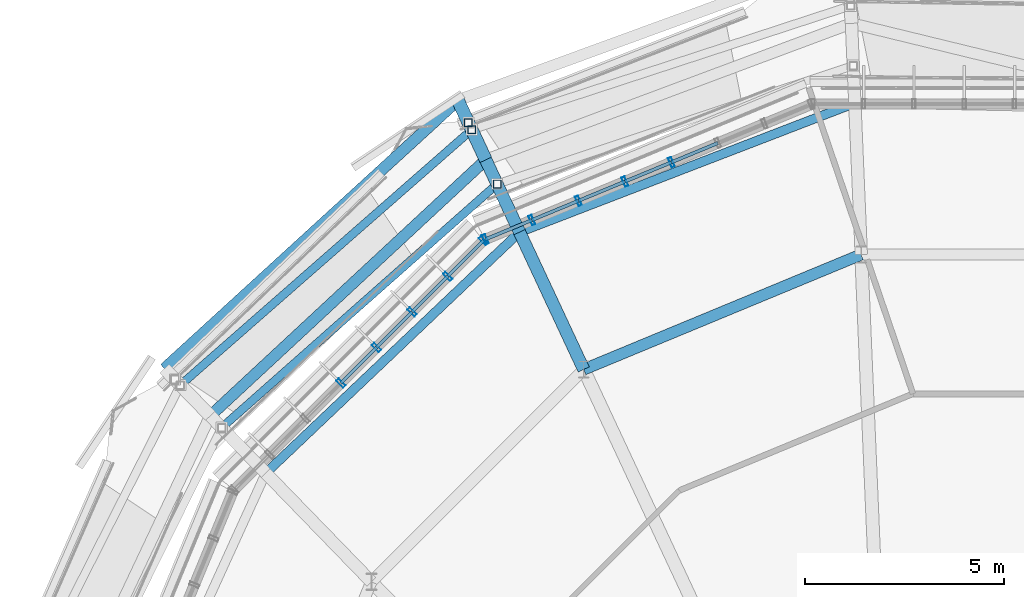
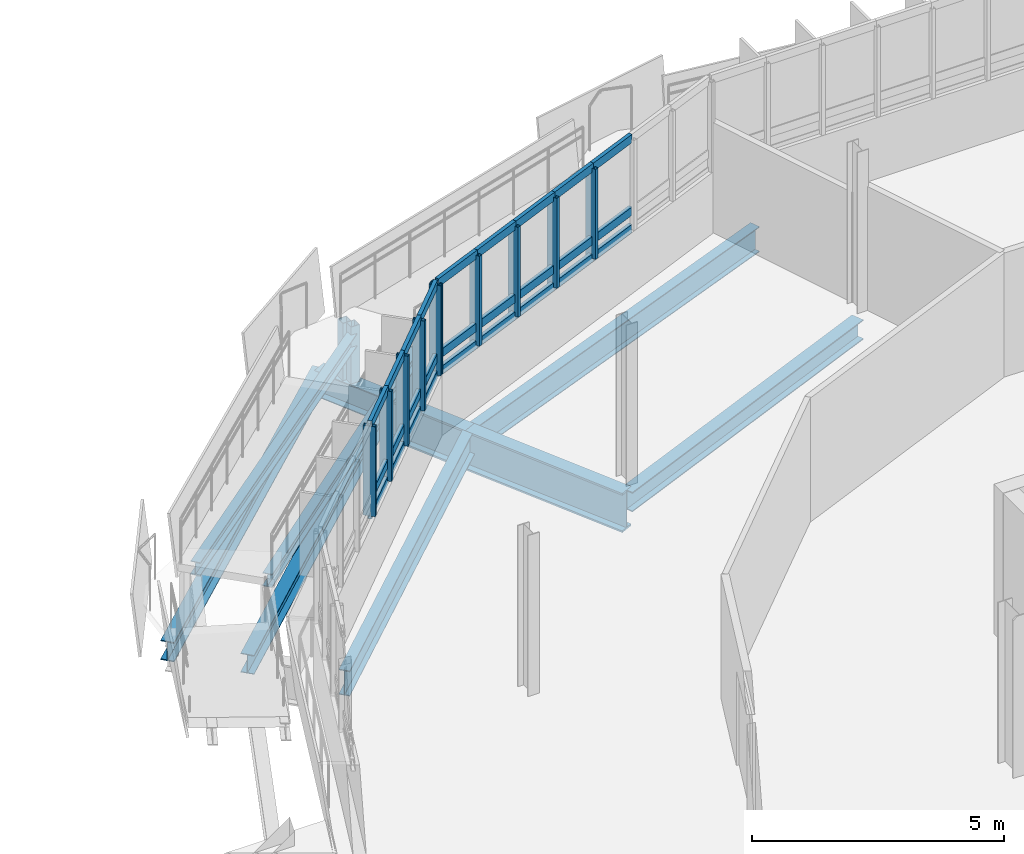
# One storey, part 25 of 61: 40 members, 10 beams, 2 elements without a shape of their own.
"""IFC4 building model written with IfcOpenShell, lengths in metres."""

from ifc_helpers import new_model, si_unit, derived_unit, direction, frame, origin, origin_2d, place, context, subcontext, project, spatial, hollow_rectangle, i_section, extrude, material, layer, layer_set, material_profile, profile_set, type_object, element, aggregate, save


model = new_model("IFC4")

# Units and contexts
model_context = context("Model", 3, precision=1e-05, world=origin(), true_north=direction((0.0, 1.0)))
body_context = subcontext(model_context, "Body", "Model", "MODEL_VIEW")
ifc_project = project(units=[si_unit("LENGTHUNIT", "METRE"), si_unit("AREAUNIT", "SQUARE_METRE"), si_unit("VOLUMEUNIT", "CUBIC_METRE"), si_unit("PLANEANGLEUNIT", "RADIAN"), si_unit("MASSUNIT", "GRAM", prefix="KILO"), derived_unit("THERMALTRANSMITTANCEUNIT", [(si_unit("MASSUNIT", "GRAM", prefix="KILO"), 1), (si_unit("TIMEUNIT", "SECOND"), -3), (si_unit("THERMODYNAMICTEMPERATUREUNIT", "KELVIN"), -1)])], contexts=[model_context])

# Site, building, storey
site_placement = place(None, origin())
site = spatial("IfcSite", under=ifc_project, at=site_placement, CompositionType="ELEMENT")
building_placement = place(site_placement, origin())
building = spatial("IfcBuilding", under=site, at=building_placement, Name="Makaiwela Harbour Ferry Terminal", CompositionType="ELEMENT")
storey_placement = place(building_placement, frame((0.0, 0.0, 13.800048828125)))
storey = spatial("IfcBuildingStorey", under=building, at=storey_placement, Name="L03", CompositionType="ELEMENT", Elevation=13.800048828125)

# Curtain wall, members
ifc_material_1 = material(Name="Marine anodised aluminium 6063-T6", Category="aluminium")
ifc_layer = layer(ifc_material_1, 0.199951171875)
ifc_layer_set = layer_set([ifc_layer], Name="Marine anodised aluminium 6063-T6")
curtain_wall_type = type_object("IfcCurtainWallType", Name="ENV-CW-05", PredefinedType="USERDEFINED", material=ifc_layer_set)
curtain_wall_1_placement = place(storey_placement, origin())
curtain_wall_1 = element("IfcCurtainWall", 1, at=curtain_wall_1_placement, inside=storey, type_object=curtain_wall_type, Name="Unitised Curtain Wall CWA-032", ObjectType="UNITIZED CURTAIN WALL", PredefinedType="USERDEFINED")
ifc_material_profile_1 = material_profile(ifc_material_1, hollow_rectangle(XDim=0.0849609375, YDim=0.25, WallThickness=0.0048828125, at=origin_2d()), Name="CWM-250X85")
ifc_profile_set_1 = profile_set([ifc_material_profile_1], Name="Marine anodised aluminium 6063-T6")
member_type_1 = type_object("IfcMemberType", Name="CW-MUL-250", PredefinedType="MULLION", material=ifc_profile_set_1)
member_1_placement = place(storey_placement, frame((28.57568359375, 89.34130859375, 1.47998046875), z_axis=(0.0, 0.0, 1.0), x_axis=(0.923879532511, 0.382683432365, 0.0)))
member_1 = element("IfcMember", 2, at=member_1_placement, type_object=member_type_1, Name="Curtain Wall Mullion CWA-032-4", PredefinedType="MULLION", context=body_context, shape_type="SweptSolid", body=[
    extrude(hollow_rectangle(XDim=0.0849609375, YDim=0.25, WallThickness=0.0048828125, at=origin_2d()), origin(), (0.0, 0.0, 1.0), 2.179931640625),
])
member_2_placement = place(storey_placement, frame((27.4091796875, 88.858154296875, 1.47998046875), z_axis=(0.0, 0.0, 1.0), x_axis=(0.923879532511, 0.382683432365, 0.0)))
member_2 = element("IfcMember", 3, at=member_2_placement, type_object=member_type_1, Name="Curtain Wall Mullion CWA-032-5", PredefinedType="MULLION", context=body_context, shape_type="SweptSolid", body=[
    extrude(hollow_rectangle(XDim=0.0849609375, YDim=0.25, WallThickness=0.0048828125, at=origin_2d()), origin(), (0.0, 0.0, 1.0), 2.179931640625),
])
member_3_placement = place(storey_placement, frame((26.2431640625, 88.375, 1.47998046875), z_axis=(0.0, 0.0, 1.0), x_axis=(0.923879532511, 0.382683432365, 0.0)))
member_3 = element("IfcMember", 4, at=member_3_placement, type_object=member_type_1, Name="Curtain Wall Mullion CWA-032-6", PredefinedType="MULLION", context=body_context, shape_type="SweptSolid", body=[
    extrude(hollow_rectangle(XDim=0.0849609375, YDim=0.25, WallThickness=0.0048828125, at=origin_2d()), origin(), (0.0, 0.0, 1.0), 2.179931640625),
])
member_4_placement = place(storey_placement, frame((25.076904296875, 87.89208984375, 1.47998046875), z_axis=(0.0, 0.0, 1.0), x_axis=(0.923879532511, 0.382683432365, 0.0)))
member_4 = element("IfcMember", 5, at=member_4_placement, type_object=member_type_1, Name="Curtain Wall Mullion CWA-032-7", PredefinedType="MULLION", context=body_context, shape_type="SweptSolid", body=[
    extrude(hollow_rectangle(XDim=0.0849609375, YDim=0.25, WallThickness=0.0048828125, at=origin_2d()), origin(), (0.0, 0.0, 1.0), 2.179931640625),
])
member_5_placement = place(storey_placement, frame((23.91064453125, 87.408935546875, 1.47998046875), z_axis=(0.0, 0.0, 1.0), x_axis=(0.923879532511, 0.382683432365, 0.0)))
member_5 = element("IfcMember", 6, at=member_5_placement, type_object=member_type_1, Name="Curtain Wall Mullion CWA-032-8", PredefinedType="MULLION", context=body_context, shape_type="SweptSolid", body=[
    extrude(hollow_rectangle(XDim=0.0849609375, YDim=0.25, WallThickness=0.0048828125, at=origin_2d()), origin(), (0.0, 0.0, 1.0), 2.179931640625),
])

curtain_wall_2_placement = place(storey_placement, origin())
curtain_wall_2 = element("IfcCurtainWall", 7, at=curtain_wall_2_placement, inside=storey, type_object=curtain_wall_type, Name="Unitised Curtain Wall CWA-033", ObjectType="UNITIZED CURTAIN WALL", PredefinedType="USERDEFINED")
member_6_placement = place(storey_placement, frame((23.86181640625, 87.376220703125, 1.47998046875), z_axis=(0.0, 0.0, 1.0), x_axis=(0.707106781187, 0.707106781187, 0.0)))
member_6 = element("IfcMember", 8, at=member_6_placement, type_object=member_type_1, Name="Curtain Wall Mullion CWA-033-1", PredefinedType="MULLION", context=body_context, shape_type="SweptSolid", body=[
    extrude(hollow_rectangle(XDim=0.0849609375, YDim=0.25, WallThickness=0.0048828125, at=origin_2d()), origin(), (0.0, 0.0, 1.0), 2.179931640625),
])
member_7_placement = place(storey_placement, frame((22.96923828125, 86.483642578125, 1.47998046875), z_axis=(0.0, 0.0, 1.0), x_axis=(0.707106781187, 0.707106781187, 0.0)))
member_7 = element("IfcMember", 9, at=member_7_placement, type_object=member_type_1, Name="Curtain Wall Mullion CWA-033-2", PredefinedType="MULLION", context=body_context, shape_type="SweptSolid", body=[
    extrude(hollow_rectangle(XDim=0.0849609375, YDim=0.25, WallThickness=0.0048828125, at=origin_2d()), origin(), (0.0, 0.0, 1.0), 2.179931640625),
])
member_8_placement = place(storey_placement, frame((22.07666015625, 85.591064453125, 1.47998046875), z_axis=(0.0, 0.0, 1.0), x_axis=(0.707106781187, 0.707106781187, 0.0)))
member_8 = element("IfcMember", 10, at=member_8_placement, type_object=member_type_1, Name="Curtain Wall Mullion CWA-033-3", PredefinedType="MULLION", context=body_context, shape_type="SweptSolid", body=[
    extrude(hollow_rectangle(XDim=0.0849609375, YDim=0.25, WallThickness=0.0048828125, at=origin_2d()), origin(), (0.0, 0.0, 1.0), 2.179931640625),
])
member_9_placement = place(storey_placement, frame((21.18408203125, 84.698486328125, 1.47998046875), z_axis=(0.0, 0.0, 1.0), x_axis=(0.707106781187, 0.707106781187, 0.0)))
member_9 = element("IfcMember", 11, at=member_9_placement, type_object=member_type_1, Name="Curtain Wall Mullion CWA-033-4", PredefinedType="MULLION", context=body_context, shape_type="SweptSolid", body=[
    extrude(hollow_rectangle(XDim=0.0849609375, YDim=0.25, WallThickness=0.0048828125, at=origin_2d()), origin(), (0.0, 0.0, 1.0), 2.179931640625),
])
member_10_placement = place(storey_placement, frame((20.29150390625, 83.805908203125, 1.47998046875), z_axis=(0.0, 0.0, 1.0), x_axis=(0.707106781187, 0.707106781187, 0.0)))
member_10 = element("IfcMember", 12, at=member_10_placement, type_object=member_type_1, Name="Curtain Wall Mullion CWA-033-5", PredefinedType="MULLION", context=body_context, shape_type="SweptSolid", body=[
    extrude(hollow_rectangle(XDim=0.0849609375, YDim=0.25, WallThickness=0.0048828125, at=origin_2d()), origin(), (0.0, 0.0, 1.0), 2.179931640625),
])

# Member
ifc_material_profile_2 = material_profile(ifc_material_1, hollow_rectangle(XDim=0.0849609375, YDim=0.199951171875, WallThickness=0.0048828125, at=origin_2d()), Name="CWT-200X85")
ifc_profile_set_2 = profile_set([ifc_material_profile_2], Name="Marine anodised aluminium 6063-T6")
member_type_2 = type_object("IfcMemberType", Name="CW-TRN-200", PredefinedType="USERDEFINED", material=ifc_profile_set_2)
member_11_placement = place(storey_placement, frame((29.74169921875, 89.82421875, 1.47998046875), z_axis=(-0.923898953305, -0.382636543056, 0.0), x_axis=(0.382636543056, -0.923898953305, 0.0)))
member_11 = element("IfcMember", 13, at=member_11_placement, type_object=member_type_2, Name="Curtain Wall Transom CWA-032-3-1", ObjectType="TRANSOM", PredefinedType="USERDEFINED", context=body_context, shape_type="SweptSolid", body=[
    extrude(hollow_rectangle(XDim=0.0849609375, YDim=0.199951171875, WallThickness=0.0048828125, at=origin_2d()), origin(), (0.0, 0.0, 1.0), 1.261962890625),
])

member_12_placement = place(storey_placement, frame((29.74169921875, 89.82421875, 1.89990234375), z_axis=(-0.923898953305, -0.382636543056, 0.0), x_axis=(0.382636543056, -0.923898953305, 0.0)))
member_12 = element("IfcMember", 14, at=member_12_placement, type_object=member_type_2, Name="Curtain Wall Transom CWA-032-3-2", ObjectType="TRANSOM", PredefinedType="USERDEFINED", context=body_context, shape_type="SweptSolid", body=[
    extrude(hollow_rectangle(XDim=0.0849609375, YDim=0.199951171875, WallThickness=0.0048828125, at=origin_2d()), origin(), (0.0, 0.0, 1.0), 1.261962890625),
])

member_13_placement = place(storey_placement, frame((29.74169921875, 89.82421875, 3.659912109375), z_axis=(-0.923898953305, -0.382636543056, 0.0), x_axis=(0.382636543056, -0.923898953305, 0.0)))
member_13 = element("IfcMember", 15, at=member_13_placement, type_object=member_type_2, Name="Curtain Wall Transom CWA-032-3-3", ObjectType="TRANSOM", PredefinedType="USERDEFINED", context=body_context, shape_type="SweptSolid", body=[
    extrude(hollow_rectangle(XDim=0.0849609375, YDim=0.199951171875, WallThickness=0.0048828125, at=origin_2d()), origin(), (0.0, 0.0, 1.0), 1.261962890625),
])

member_14_placement = place(storey_placement, frame((28.57568359375, 89.34130859375, 1.47998046875), z_axis=(-0.923887216515, -0.382664881013, 0.0), x_axis=(0.382664881013, -0.923887216515, 0.0)))
member_14 = element("IfcMember", 16, at=member_14_placement, type_object=member_type_2, Name="Curtain Wall Transom CWA-032-4-1", ObjectType="TRANSOM", PredefinedType="USERDEFINED", context=body_context, shape_type="SweptSolid", body=[
    extrude(hollow_rectangle(XDim=0.0849609375, YDim=0.199951171875, WallThickness=0.0048828125, at=origin_2d()), origin(), (0.0, 0.0, 1.0), 1.2626953125),
])

member_15_placement = place(storey_placement, frame((28.57568359375, 89.34130859375, 1.89990234375), z_axis=(-0.923887216515, -0.382664881013, 0.0), x_axis=(0.382664881013, -0.923887216515, 0.0)))
member_15 = element("IfcMember", 17, at=member_15_placement, type_object=member_type_2, Name="Curtain Wall Transom CWA-032-4-2", ObjectType="TRANSOM", PredefinedType="USERDEFINED", context=body_context, shape_type="SweptSolid", body=[
    extrude(hollow_rectangle(XDim=0.0849609375, YDim=0.199951171875, WallThickness=0.0048828125, at=origin_2d()), origin(), (0.0, 0.0, 1.0), 1.2626953125),
])

member_16_placement = place(storey_placement, frame((28.57568359375, 89.34130859375, 3.659912109375), z_axis=(-0.923887216515, -0.382664881013, 0.0), x_axis=(0.382664881013, -0.923887216515, 0.0)))
member_16 = element("IfcMember", 18, at=member_16_placement, type_object=member_type_2, Name="Curtain Wall Transom CWA-032-4-3", ObjectType="TRANSOM", PredefinedType="USERDEFINED", context=body_context, shape_type="SweptSolid", body=[
    extrude(hollow_rectangle(XDim=0.0849609375, YDim=0.199951171875, WallThickness=0.0048828125, at=origin_2d()), origin(), (0.0, 0.0, 1.0), 1.2626953125),
])

member_17_placement = place(storey_placement, frame((27.4091796875, 88.858154296875, 1.47998046875), z_axis=(-0.923830557004, -0.382801648306, 0.0), x_axis=(0.382801648306, -0.923830557004, 0.0)))
member_17 = element("IfcMember", 19, at=member_17_placement, type_object=member_type_2, Name="Curtain Wall Transom CWA-032-5-1", ObjectType="TRANSOM", PredefinedType="USERDEFINED", context=body_context, shape_type="SweptSolid", body=[
    extrude(hollow_rectangle(XDim=0.0849609375, YDim=0.199951171875, WallThickness=0.0048828125, at=origin_2d()), origin(), (0.0, 0.0, 1.0), 1.26220703125),
])

member_18_placement = place(storey_placement, frame((27.4091796875, 88.858154296875, 1.89990234375), z_axis=(-0.923830557004, -0.382801648306, 0.0), x_axis=(0.382801648306, -0.923830557004, 0.0)))
member_18 = element("IfcMember", 20, at=member_18_placement, type_object=member_type_2, Name="Curtain Wall Transom CWA-032-5-2", ObjectType="TRANSOM", PredefinedType="USERDEFINED", context=body_context, shape_type="SweptSolid", body=[
    extrude(hollow_rectangle(XDim=0.0849609375, YDim=0.199951171875, WallThickness=0.0048828125, at=origin_2d()), origin(), (0.0, 0.0, 1.0), 1.26220703125),
])

member_19_placement = place(storey_placement, frame((27.4091796875, 88.858154296875, 3.659912109375), z_axis=(-0.923830557004, -0.382801648306, 0.0), x_axis=(0.382801648306, -0.923830557004, 0.0)))
member_19 = element("IfcMember", 21, at=member_19_placement, type_object=member_type_2, Name="Curtain Wall Transom CWA-032-5-3", ObjectType="TRANSOM", PredefinedType="USERDEFINED", context=body_context, shape_type="SweptSolid", body=[
    extrude(hollow_rectangle(XDim=0.0849609375, YDim=0.199951171875, WallThickness=0.0048828125, at=origin_2d()), origin(), (0.0, 0.0, 1.0), 1.26220703125),
])

member_20_placement = place(storey_placement, frame((26.2431640625, 88.375, 1.47998046875), z_axis=(-0.923927268309, -0.382568167619, 0.0), x_axis=(0.382568167619, -0.923927268309, 0.0)))
member_20 = element("IfcMember", 22, at=member_20_placement, type_object=member_type_2, Name="Curtain Wall Transom CWA-032-6-1", ObjectType="TRANSOM", PredefinedType="USERDEFINED", context=body_context, shape_type="SweptSolid", body=[
    extrude(hollow_rectangle(XDim=0.0849609375, YDim=0.199951171875, WallThickness=0.0048828125, at=origin_2d()), origin(), (0.0, 0.0, 1.0), 1.26220703125),
])

member_21_placement = place(storey_placement, frame((26.2431640625, 88.375, 1.89990234375), z_axis=(-0.923927268309, -0.382568167619, 0.0), x_axis=(0.382568167619, -0.923927268309, 0.0)))
member_21 = element("IfcMember", 23, at=member_21_placement, type_object=member_type_2, Name="Curtain Wall Transom CWA-032-6-2", ObjectType="TRANSOM", PredefinedType="USERDEFINED", context=body_context, shape_type="SweptSolid", body=[
    extrude(hollow_rectangle(XDim=0.0849609375, YDim=0.199951171875, WallThickness=0.0048828125, at=origin_2d()), origin(), (0.0, 0.0, 1.0), 1.26220703125),
])

member_22_placement = place(storey_placement, frame((26.2431640625, 88.375, 3.659912109375), z_axis=(-0.923927268309, -0.382568167619, 0.0), x_axis=(0.382568167619, -0.923927268309, 0.0)))
member_22 = element("IfcMember", 24, at=member_22_placement, type_object=member_type_2, Name="Curtain Wall Transom CWA-032-6-3", ObjectType="TRANSOM", PredefinedType="USERDEFINED", context=body_context, shape_type="SweptSolid", body=[
    extrude(hollow_rectangle(XDim=0.0849609375, YDim=0.199951171875, WallThickness=0.0048828125, at=origin_2d()), origin(), (0.0, 0.0, 1.0), 1.26220703125),
])

member_23_placement = place(storey_placement, frame((25.076904296875, 87.89208984375, 1.47998046875), z_axis=(-0.923858894352, -0.38273325349, 0.0), x_axis=(0.38273325349, -0.923858894352, 0.0)))
member_23 = element("IfcMember", 25, at=member_23_placement, type_object=member_type_2, Name="Curtain Wall Transom CWA-032-7-1", ObjectType="TRANSOM", PredefinedType="USERDEFINED", context=body_context, shape_type="SweptSolid", body=[
    extrude(hollow_rectangle(XDim=0.0849609375, YDim=0.199951171875, WallThickness=0.0048828125, at=origin_2d()), origin(), (0.0, 0.0, 1.0), 1.262451171875),
])

member_24_placement = place(storey_placement, frame((25.076904296875, 87.89208984375, 1.89990234375), z_axis=(-0.923858894352, -0.38273325349, 0.0), x_axis=(0.38273325349, -0.923858894352, 0.0)))
member_24 = element("IfcMember", 26, at=member_24_placement, type_object=member_type_2, Name="Curtain Wall Transom CWA-032-7-2", ObjectType="TRANSOM", PredefinedType="USERDEFINED", context=body_context, shape_type="SweptSolid", body=[
    extrude(hollow_rectangle(XDim=0.0849609375, YDim=0.199951171875, WallThickness=0.0048828125, at=origin_2d()), origin(), (0.0, 0.0, 1.0), 1.262451171875),
])

member_25_placement = place(storey_placement, frame((25.076904296875, 87.89208984375, 3.659912109375), z_axis=(-0.923858894352, -0.38273325349, 0.0), x_axis=(0.38273325349, -0.923858894352, 0.0)))
member_25 = element("IfcMember", 27, at=member_25_placement, type_object=member_type_2, Name="Curtain Wall Transom CWA-032-7-3", ObjectType="TRANSOM", PredefinedType="USERDEFINED", context=body_context, shape_type="SweptSolid", body=[
    extrude(hollow_rectangle(XDim=0.0849609375, YDim=0.199951171875, WallThickness=0.0048828125, at=origin_2d()), origin(), (0.0, 0.0, 1.0), 1.262451171875),
])

aggregate(curtain_wall_1, [member_1, member_2, member_3, member_4, member_5, member_11, member_12, member_13, member_14, member_15, member_16, member_17, member_18, member_19, member_20, member_21, member_22, member_23, member_24, member_25])

member_26_placement = place(storey_placement, frame((23.86181640625, 87.376220703125, 1.47998046875), z_axis=(-0.707106781187, -0.707106781187, 0.0), x_axis=(0.707106781187, -0.707106781187, 0.0)))
member_26 = element("IfcMember", 28, at=member_26_placement, type_object=member_type_2, Name="Curtain Wall Transom CWA-033-1-1", ObjectType="TRANSOM", PredefinedType="USERDEFINED", context=body_context, shape_type="SweptSolid", body=[
    extrude(hollow_rectangle(XDim=0.0849609375, YDim=0.199951171875, WallThickness=0.0048828125, at=origin_2d()), origin(), (0.0, 0.0, 1.0), 1.26220703125),
])

member_27_placement = place(storey_placement, frame((23.86181640625, 87.376220703125, 1.89990234375), z_axis=(-0.707106781187, -0.707106781187, 0.0), x_axis=(0.707106781187, -0.707106781187, 0.0)))
member_27 = element("IfcMember", 29, at=member_27_placement, type_object=member_type_2, Name="Curtain Wall Transom CWA-033-1-2", ObjectType="TRANSOM", PredefinedType="USERDEFINED", context=body_context, shape_type="SweptSolid", body=[
    extrude(hollow_rectangle(XDim=0.0849609375, YDim=0.199951171875, WallThickness=0.0048828125, at=origin_2d()), origin(), (0.0, 0.0, 1.0), 1.26220703125),
])

member_28_placement = place(storey_placement, frame((23.86181640625, 87.376220703125, 3.659912109375), z_axis=(-0.707106781187, -0.707106781187, 0.0), x_axis=(0.707106781187, -0.707106781187, 0.0)))
member_28 = element("IfcMember", 30, at=member_28_placement, type_object=member_type_2, Name="Curtain Wall Transom CWA-033-1-3", ObjectType="TRANSOM", PredefinedType="USERDEFINED", context=body_context, shape_type="SweptSolid", body=[
    extrude(hollow_rectangle(XDim=0.0849609375, YDim=0.199951171875, WallThickness=0.0048828125, at=origin_2d()), origin(), (0.0, 0.0, 1.0), 1.26220703125),
])

member_29_placement = place(storey_placement, frame((22.96923828125, 86.483642578125, 1.47998046875), z_axis=(-0.707106781187, -0.707106781187, 0.0), x_axis=(0.707106781187, -0.707106781187, 0.0)))
member_29 = element("IfcMember", 31, at=member_29_placement, type_object=member_type_2, Name="Curtain Wall Transom CWA-033-2-1", ObjectType="TRANSOM", PredefinedType="USERDEFINED", context=body_context, shape_type="SweptSolid", body=[
    extrude(hollow_rectangle(XDim=0.0849609375, YDim=0.199951171875, WallThickness=0.0048828125, at=origin_2d()), origin(), (0.0, 0.0, 1.0), 1.26220703125),
])

member_30_placement = place(storey_placement, frame((22.96923828125, 86.483642578125, 1.89990234375), z_axis=(-0.707106781187, -0.707106781187, 0.0), x_axis=(0.707106781187, -0.707106781187, 0.0)))
member_30 = element("IfcMember", 32, at=member_30_placement, type_object=member_type_2, Name="Curtain Wall Transom CWA-033-2-2", ObjectType="TRANSOM", PredefinedType="USERDEFINED", context=body_context, shape_type="SweptSolid", body=[
    extrude(hollow_rectangle(XDim=0.0849609375, YDim=0.199951171875, WallThickness=0.0048828125, at=origin_2d()), origin(), (0.0, 0.0, 1.0), 1.26220703125),
])

member_31_placement = place(storey_placement, frame((22.96923828125, 86.483642578125, 3.659912109375), z_axis=(-0.707106781187, -0.707106781187, 0.0), x_axis=(0.707106781187, -0.707106781187, 0.0)))
member_31 = element("IfcMember", 33, at=member_31_placement, type_object=member_type_2, Name="Curtain Wall Transom CWA-033-2-3", ObjectType="TRANSOM", PredefinedType="USERDEFINED", context=body_context, shape_type="SweptSolid", body=[
    extrude(hollow_rectangle(XDim=0.0849609375, YDim=0.199951171875, WallThickness=0.0048828125, at=origin_2d()), origin(), (0.0, 0.0, 1.0), 1.26220703125),
])

member_32_placement = place(storey_placement, frame((22.07666015625, 85.591064453125, 1.47998046875), z_axis=(-0.707106781187, -0.707106781187, 0.0), x_axis=(0.707106781187, -0.707106781187, 0.0)))
member_32 = element("IfcMember", 34, at=member_32_placement, type_object=member_type_2, Name="Curtain Wall Transom CWA-033-3-1", ObjectType="TRANSOM", PredefinedType="USERDEFINED", context=body_context, shape_type="SweptSolid", body=[
    extrude(hollow_rectangle(XDim=0.0849609375, YDim=0.199951171875, WallThickness=0.0048828125, at=origin_2d()), origin(), (0.0, 0.0, 1.0), 1.26220703125),
])

member_33_placement = place(storey_placement, frame((22.07666015625, 85.591064453125, 1.89990234375), z_axis=(-0.707106781187, -0.707106781187, 0.0), x_axis=(0.707106781187, -0.707106781187, 0.0)))
member_33 = element("IfcMember", 35, at=member_33_placement, type_object=member_type_2, Name="Curtain Wall Transom CWA-033-3-2", ObjectType="TRANSOM", PredefinedType="USERDEFINED", context=body_context, shape_type="SweptSolid", body=[
    extrude(hollow_rectangle(XDim=0.0849609375, YDim=0.199951171875, WallThickness=0.0048828125, at=origin_2d()), origin(), (0.0, 0.0, 1.0), 1.26220703125),
])

member_34_placement = place(storey_placement, frame((22.07666015625, 85.591064453125, 3.659912109375), z_axis=(-0.707106781187, -0.707106781187, 0.0), x_axis=(0.707106781187, -0.707106781187, 0.0)))
member_34 = element("IfcMember", 36, at=member_34_placement, type_object=member_type_2, Name="Curtain Wall Transom CWA-033-3-3", ObjectType="TRANSOM", PredefinedType="USERDEFINED", context=body_context, shape_type="SweptSolid", body=[
    extrude(hollow_rectangle(XDim=0.0849609375, YDim=0.199951171875, WallThickness=0.0048828125, at=origin_2d()), origin(), (0.0, 0.0, 1.0), 1.26220703125),
])

member_35_placement = place(storey_placement, frame((21.18408203125, 84.698486328125, 1.47998046875), z_axis=(-0.707106781187, -0.707106781187, 0.0), x_axis=(0.707106781187, -0.707106781187, 0.0)))
member_35 = element("IfcMember", 37, at=member_35_placement, type_object=member_type_2, Name="Curtain Wall Transom CWA-033-4-1", ObjectType="TRANSOM", PredefinedType="USERDEFINED", context=body_context, shape_type="SweptSolid", body=[
    extrude(hollow_rectangle(XDim=0.0849609375, YDim=0.199951171875, WallThickness=0.0048828125, at=origin_2d()), origin(), (0.0, 0.0, 1.0), 1.26220703125),
])

member_36_placement = place(storey_placement, frame((21.18408203125, 84.698486328125, 1.89990234375), z_axis=(-0.707106781187, -0.707106781187, 0.0), x_axis=(0.707106781187, -0.707106781187, 0.0)))
member_36 = element("IfcMember", 38, at=member_36_placement, type_object=member_type_2, Name="Curtain Wall Transom CWA-033-4-2", ObjectType="TRANSOM", PredefinedType="USERDEFINED", context=body_context, shape_type="SweptSolid", body=[
    extrude(hollow_rectangle(XDim=0.0849609375, YDim=0.199951171875, WallThickness=0.0048828125, at=origin_2d()), origin(), (0.0, 0.0, 1.0), 1.26220703125),
])

member_37_placement = place(storey_placement, frame((21.18408203125, 84.698486328125, 3.659912109375), z_axis=(-0.707106781187, -0.707106781187, 0.0), x_axis=(0.707106781187, -0.707106781187, 0.0)))
member_37 = element("IfcMember", 39, at=member_37_placement, type_object=member_type_2, Name="Curtain Wall Transom CWA-033-4-3", ObjectType="TRANSOM", PredefinedType="USERDEFINED", context=body_context, shape_type="SweptSolid", body=[
    extrude(hollow_rectangle(XDim=0.0849609375, YDim=0.199951171875, WallThickness=0.0048828125, at=origin_2d()), origin(), (0.0, 0.0, 1.0), 1.26220703125),
])

aggregate(curtain_wall_2, [member_6, member_7, member_8, member_9, member_10, member_26, member_27, member_28, member_29, member_30, member_31, member_32, member_33, member_34, member_35, member_36, member_37])

# Beams
ifc_material_2 = material(Name="Steel ASTM A992 Grade 50", Category="steel")
ifc_material_profile_3 = material_profile(ifc_material_2, i_section(OverallWidth=0.280029296875, OverallDepth=0.462890625, WebThickness=0.0107421875, FlangeThickness=0.017333984375, at=origin_2d()), Name="W18X76")
ifc_profile_set_3 = profile_set([ifc_material_profile_3], Name="Steel ASTM A992 Grade 50")
beam_type_1 = type_object("IfcBeamType", Name="STR-BM-W18X76", PredefinedType="BEAM", material=ifc_profile_set_3)
beam_1_placement = place(storey_placement, frame((23.92138671875, 89.40185546875, -0.486572265625), z_axis=(-0.732663441999, -0.680591125977, 0.0), x_axis=(0.680591125977, -0.732663441999, 0.0)))
element("IfcBeam", 40, at=beam_1_placement, inside=storey, type_object=beam_type_1, Name="Drum stage2 tie girder 339", PredefinedType="BEAM", context=body_context, shape_type="SweptSolid", body=[
    extrude(i_section(OverallWidth=0.280029296875, OverallDepth=0.462890625, WebThickness=0.0107421875, FlangeThickness=0.017333984375, at=origin_2d()), origin(), (0.0, 0.0, 1.0), 9.428466796875),
])
ifc_material_profile_4 = material_profile(ifc_material_2, i_section(OverallWidth=0.324951171875, OverallDepth=0.615966796875, WebThickness=0.013916015625, FlangeThickness=0.021484375, at=origin_2d()), Name="W24X117")
ifc_profile_set_4 = profile_set([ifc_material_profile_4], Name="Steel ASTM A992 Grade 50")
beam_type_2 = type_object("IfcBeamType", Name="STR-GRD-W24X117", PredefinedType="USERDEFINED", material=ifc_profile_set_4)
beam_2_placement = place(storey_placement, frame((23.92138671875, 89.40185546875, -0.56298828125), z_axis=(-0.423379579508, 0.905952389287, 0.0), x_axis=(-0.905952389287, -0.423379579508, 0.0)))
element("IfcBeam", 41, at=beam_2_placement, inside=storey, type_object=beam_type_2, Name="Promenade terrace bracket 292", ObjectType="GIRDER", PredefinedType="USERDEFINED", context=body_context, shape_type="SweptSolid", body=[
    extrude(i_section(OverallWidth=0.324951171875, OverallDepth=0.615966796875, WebThickness=0.013916015625, FlangeThickness=0.021484375, at=origin_2d()), origin(), (0.0, 0.0, 1.0), 1.64990234375),
])
ifc_material_profile_5 = material_profile(ifc_material_2, i_section(OverallWidth=0.22900390625, OverallDepth=0.612060546875, WebThickness=0.011962890625, FlangeThickness=0.01953125, at=origin_2d()), Name="W24X84")
ifc_profile_set_5 = profile_set([ifc_material_profile_5], Name="Steel ASTM A992 Grade 50")
beam_type_3 = type_object("IfcBeamType", Name="STR-GRD-W24X84", PredefinedType="USERDEFINED", material=ifc_profile_set_5)
beam_3_placement = place(storey_placement, frame((33.173583984375, 90.82568359375, -0.56103515625), z_axis=(-0.933232382004, -0.359273323779, 0.0), x_axis=(0.359273323779, -0.933232382004, 0.0)))
element("IfcBeam", 42, at=beam_3_placement, inside=storey, type_object=beam_type_3, Name="Drum overhang tie girder 336", ObjectType="GIRDER", PredefinedType="USERDEFINED", context=body_context, shape_type="SweptSolid", body=[
    extrude(i_section(OverallWidth=0.22900390625, OverallDepth=0.612060546875, WebThickness=0.011962890625, FlangeThickness=0.01953125, at=origin_2d()), origin(), (0.0, 0.0, 1.0), 9.006591796875),
])
beam_4_placement = place(storey_placement, frame((24.768310546875, 87.58984375, -0.56103515625), z_axis=(-0.725208541856, -0.688529281018, 0.0), x_axis=(0.688529281018, -0.725208541856, 0.0)))
element("IfcBeam", 43, at=beam_4_placement, inside=storey, type_object=beam_type_3, Name="Drum overhang tie girder 338", ObjectType="GIRDER", PredefinedType="USERDEFINED", context=body_context, shape_type="SweptSolid", body=[
    extrude(i_section(OverallWidth=0.22900390625, OverallDepth=0.612060546875, WebThickness=0.011962890625, FlangeThickness=0.01953125, at=origin_2d()), origin(), (0.0, 0.0, 1.0), 8.772705078125),
])
ifc_material_profile_6 = material_profile(ifc_material_2, i_section(OverallWidth=0.31005859375, OverallDepth=0.949951171875, WebThickness=0.0244140625, FlangeThickness=0.0439453125, at=origin_2d()), Name="W36X256")
ifc_profile_set_6 = profile_set([ifc_material_profile_6], Name="Steel ASTM A992 Grade 50")
beam_type_4 = type_object("IfcBeamType", Name="STR-GRD-W36X256", PredefinedType="USERDEFINED", material=ifc_profile_set_6)
beam_5_placement = place(storey_placement, frame((26.37744140625, 84.1474609375, -0.72998046875), z_axis=(-0.423465730758, 0.905912123152, 0.0), x_axis=(-0.905912123152, -0.423465730758, 0.0)))
element("IfcBeam", 44, at=beam_5_placement, inside=storey, type_object=beam_type_4, Name="Drum radial overhang 290", ObjectType="GIRDER", PredefinedType="USERDEFINED", context=body_context, shape_type="SweptSolid", body=[
    extrude(i_section(OverallWidth=0.31005859375, OverallDepth=0.949951171875, WebThickness=0.0244140625, FlangeThickness=0.0439453125, at=origin_2d()), origin(), (0.0, 0.0, 1.0), 3.7998046875),
])
beam_6_placement = place(storey_placement, frame((24.768310546875, 87.58984375, -0.72998046875), z_axis=(-0.423426642, 0.90593039404, 0.0), x_axis=(-0.90593039404, -0.423426642, 0.0)))
element("IfcBeam", 45, at=beam_6_placement, inside=storey, type_object=beam_type_4, Name="Drum overhang radial girder 291", ObjectType="GIRDER", PredefinedType="USERDEFINED", context=body_context, shape_type="SweptSolid", body=[
    extrude(i_section(OverallWidth=0.31005859375, OverallDepth=0.949951171875, WebThickness=0.0244140625, FlangeThickness=0.0439453125, at=origin_2d()), origin(), (0.0, 0.0, 1.0), 2.000244140625),
])
ifc_material_profile_7 = material_profile(ifc_material_2, i_section(OverallWidth=0.205078125, OverallDepth=0.31005859375, WebThickness=0.009521484375, FlangeThickness=0.016357421875, at=origin_2d()), Name="W12X50")
ifc_profile_set_7 = profile_set([ifc_material_profile_7], Name="Steel ASTM A992 Grade 50")
beam_type_5 = type_object("IfcBeamType", Name="STR-LNT-W12X50", PredefinedType="LINTEL", material=ifc_profile_set_7)
beam_7_placement = place(storey_placement, frame((24.205322265625, 88.794921875, 0.969970703125), z_axis=(-0.747280333032, -0.660776220655, 0.070334131688), x_axis=(0.662416703302, -0.749135575972, 0.0)))
element("IfcBeam", 46, at=beam_7_placement, inside=storey, type_object=beam_type_5, Name="Coiled Ramp Stringer L03-F3-IN", PredefinedType="LINTEL", context=body_context, shape_type="SweptSolid", body=[
    extrude(i_section(OverallWidth=0.205078125, OverallDepth=0.31005859375, WebThickness=0.009521484375, FlangeThickness=0.016357421875, at=origin_2d()), origin(), (0.0, 0.0, 1.0), 9.240234375),
])
beam_8_placement = place(storey_placement, frame((23.569091796875, 90.155517578125, 0.763671875), z_axis=(-0.749222637682, -0.656508965911, 0.087529519946), x_axis=(0.659038403967, -0.752109288665, 0.0)))
element("IfcBeam", 47, at=beam_8_placement, inside=storey, type_object=beam_type_5, Name="Coiled Ramp Stringer L03-F3-OUT", PredefinedType="LINTEL", context=body_context, shape_type="SweptSolid", body=[
    extrude(i_section(OverallWidth=0.205078125, OverallDepth=0.31005859375, WebThickness=0.009521484375, FlangeThickness=0.016357421875, at=origin_2d()), origin(), (0.0, 0.0, 1.0), 9.748291015625),
])

# Members
ifc_material_3 = material(Name="Steel ASTM A500 Grade C", Category="steel")
ifc_material_profile_8 = material_profile(ifc_material_3, hollow_rectangle(XDim=0.202880859375, YDim=0.202880859375, WallThickness=0.01171875, at=origin_2d()), Name="HSS8X8X1/2")
ifc_profile_set_8 = profile_set([ifc_material_profile_8], Name="Steel ASTM A500 Grade C")
member_type_3 = type_object("IfcMemberType", Name="STR-PST-HSS8", PredefinedType="POST", material=ifc_profile_set_8)
member_38_placement = place(storey_placement, frame((23.4853515625, 90.3349609375, -0.275146484375), z_axis=(0.0, 0.0, 1.0), x_axis=(1.0, 0.0, 0.0)))
element("IfcMember", 48, at=member_38_placement, inside=storey, type_object=member_type_3, Name="Exterior Ramp Support Post RP-0040", PredefinedType="POST", context=body_context, shape_type="SweptSolid", body=[
    extrude(hollow_rectangle(XDim=0.202880859375, YDim=0.202880859375, WallThickness=0.01171875, at=origin_2d()), origin(), (0.0, 0.0, 1.0), 1.405029296875),
])
member_39_placement = place(storey_placement, frame((23.569091796875, 90.155517578125, -0.275146484375), z_axis=(0.0, 0.0, 1.0), x_axis=(1.0, 0.0, 0.0)))
element("IfcMember", 49, at=member_39_placement, inside=storey, type_object=member_type_3, Name="Exterior Ramp Support Post RP-0043", PredefinedType="POST", context=body_context, shape_type="SweptSolid", body=[
    extrude(hollow_rectangle(XDim=0.202880859375, YDim=0.202880859375, WallThickness=0.01171875, at=origin_2d()), origin(), (0.0, 0.0, 1.0), 1.397216796875),
])
member_40_placement = place(storey_placement, frame((24.205322265625, 88.794921875, -0.275146484375), z_axis=(0.0, 0.0, 1.0), x_axis=(1.0, 0.0, 0.0)))
element("IfcMember", 50, at=member_40_placement, inside=storey, type_object=member_type_3, Name="Exterior Ramp Support Post RP-0047", PredefinedType="POST", context=body_context, shape_type="SweptSolid", body=[
    extrude(hollow_rectangle(XDim=0.202880859375, YDim=0.202880859375, WallThickness=0.01171875, at=origin_2d()), origin(), (0.0, 0.0, 1.0), 1.400146484375),
])

# Beams
ifc_material_profile_9 = material_profile(ifc_material_2, i_section(OverallWidth=0.283935546875, OverallDepth=0.47607421875, WebThickness=0.014892578125, FlangeThickness=0.02392578125, at=origin_2d()), Name="W18X106")
ifc_profile_set_9 = profile_set([ifc_material_profile_9], Name="Steel ASTM A992 Grade 50")
beam_type_6 = type_object("IfcBeamType", Name="STR-SPN-W18X106", PredefinedType="SPANDREL", material=ifc_profile_set_9)
beam_9_placement = place(storey_placement, frame((33.334716796875, 87.029296875, -0.4931640625), z_axis=(-0.923877743092, -0.382687752376, 0.0), x_axis=(0.382687752376, -0.923877743092, 0.0)))
element("IfcBeam", 51, at=beam_9_placement, inside=storey, type_object=beam_type_6, Name="Drum column ring girder 259", PredefinedType="SPANDREL", context=body_context, shape_type="SweptSolid", body=[
    extrude(i_section(OverallWidth=0.283935546875, OverallDepth=0.47607421875, WebThickness=0.014892578125, FlangeThickness=0.02392578125, at=origin_2d()), origin(), (0.0, 0.0, 1.0), 7.530517578125),
])
beam_10_placement = place(storey_placement, frame((23.222900390625, 90.896484375, -0.4931640625), z_axis=(-0.738046928899, -0.674749383655, 0.0), x_axis=(0.674749383655, -0.738046928899, 0.0)))
element("IfcBeam", 52, at=beam_10_placement, inside=storey, type_object=beam_type_6, Name="Drum perimeter spandrel 360", PredefinedType="SPANDREL", context=body_context, shape_type="SweptSolid", body=[
    extrude(i_section(OverallWidth=0.283935546875, OverallDepth=0.47607421875, WebThickness=0.014892578125, FlangeThickness=0.02392578125, at=origin_2d()), origin(), (0.0, 0.0, 1.0), 9.970458984375),
])

save(model, "model.ifc")
